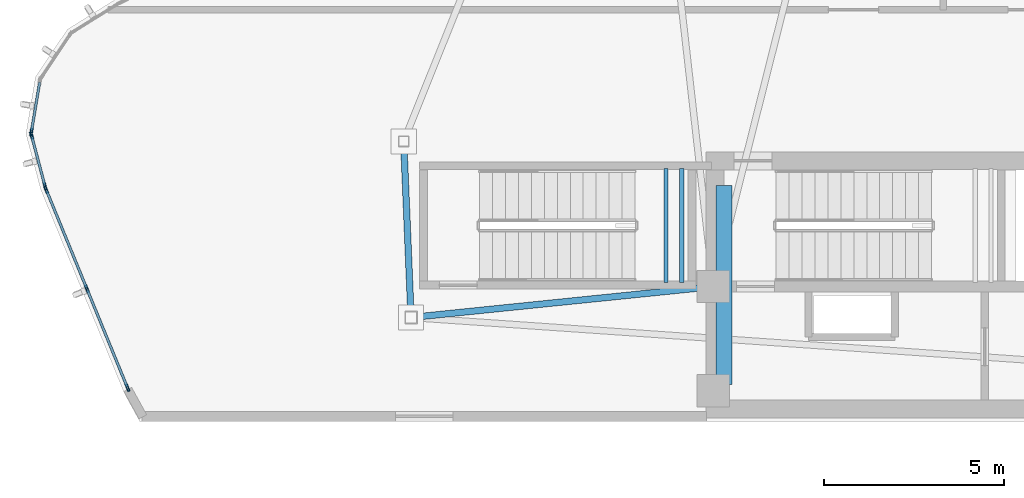
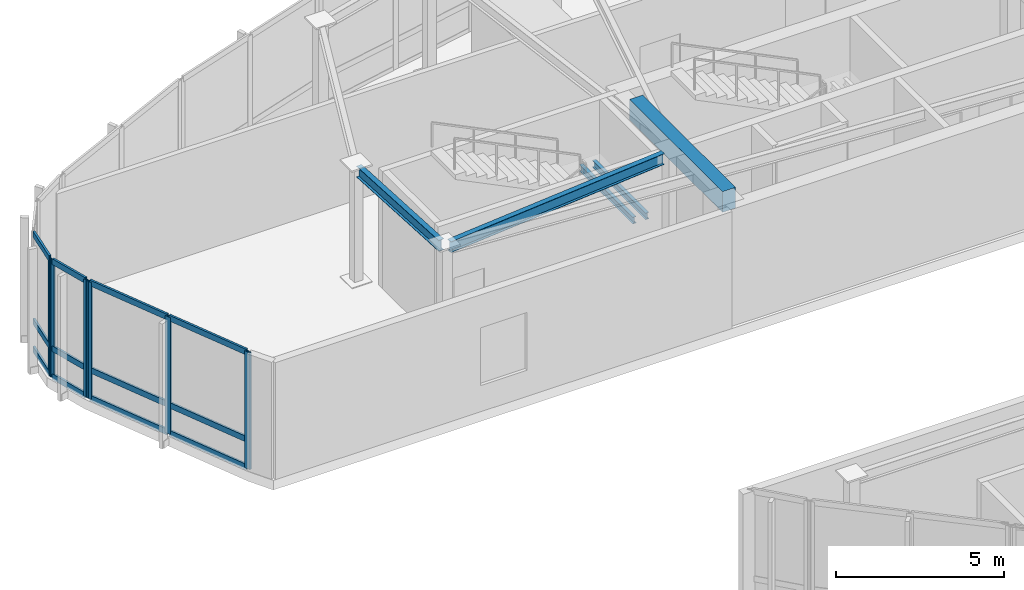
# One storey, part 3 of 16: 18 members, 5 beams, 3 elements without a shape of their own.
"""IFC4 building model written with IfcOpenShell, lengths in metres."""

from ifc_helpers import new_model, si_unit, direction, frame, origin, origin_2d, place, context, subcontext, project, spatial, rectangle, hollow_rectangle, i_section, extrude, source, transform, mapped, material, layer, layer_set, material_profile, profile_set, type_object, type_shapes, element, aggregate, save


model = new_model("IFC4")

# Units and contexts
model_context = context("Model", 3, precision=1e-05, world=origin(), true_north=direction((0.0, 1.0)))
body_context = subcontext(model_context, "Body", "Model", "MODEL_VIEW")
ifc_project = project(units=[si_unit("LENGTHUNIT", "METRE"), si_unit("AREAUNIT", "SQUARE_METRE"), si_unit("VOLUMEUNIT", "CUBIC_METRE"), si_unit("PLANEANGLEUNIT", "RADIAN"), si_unit("MASSUNIT", "GRAM", prefix="KILO")], contexts=[model_context])

# Site, building, storey
site_placement = place(None, origin())
site = spatial("IfcSite", under=ifc_project, at=site_placement, CompositionType="ELEMENT")
building_placement = place(site_placement, origin())
building = spatial("IfcBuilding", under=site, at=building_placement, Name="Tavelor Broadcast Tower", CompositionType="ELEMENT")
storey_placement = place(building_placement, frame((0.0, 0.0, 336.699951171875)))
storey = spatial("IfcBuildingStorey", under=building, at=storey_placement, Name="L80", CompositionType="ELEMENT", Elevation=336.699951171875)

# Beams
ifc_material_1 = material(Name="Concrete C40/50", Category="concrete")
ifc_material_profile_1 = material_profile(ifc_material_1, rectangle(XDim=0.449951171875, YDim=0.75, at=origin_2d()), Name="RC 450x750")
ifc_profile_set_1 = profile_set([ifc_material_profile_1], Name="Concrete C40/50")
beam_type_1 = type_object("IfcBeamType", Name="Basement Core Trim Beam 450x750", PredefinedType="BEAM", material=ifc_profile_set_1)
beam_1_placement = place(storey_placement, frame((43.39990234375, 45.23193359375, 3.875), z_axis=(0.0, 1.0, 0.0), x_axis=(-1.0, 0.0, 0.0)))
element("IfcBeam", 1, at=beam_1_placement, inside=storey, type_object=beam_type_1, Name="L80 Core West-N Tie Girder", PredefinedType="BEAM", context=body_context, shape_type="SweptSolid", body=[
    extrude(rectangle(XDim=0.449951171875, YDim=0.75, at=origin_2d()), origin(), (0.0, 0.0, 1.0), 5.5361328125),
])
ifc_material_2 = material(Name="Steel S355", Category="steel")
ifc_material_profile_2 = material_profile(ifc_material_2, i_section(OverallWidth=0.179931640625, OverallDepth=0.39990234375, WebThickness=0.008544921875, FlangeThickness=0.013427734375, at=origin_2d()), Name="IPE 400")
ifc_profile_set_2 = profile_set([ifc_material_profile_2], Name="Steel S355")
beam_type_2 = type_object("IfcBeamType", Name="Crown Ring Spandrel Beam IPE400", PredefinedType="SPANDREL", material=ifc_profile_set_2)
beam_2_placement = place(storey_placement, frame((34.49169921875, 51.836181640625, 4.050048828125), z_axis=(0.04186598698, -0.999123235209, 0.0), x_axis=(0.999123235209, 0.04186598698, 0.0)))
element("IfcBeam", 2, at=beam_2_placement, inside=storey, type_object=beam_type_2, Name="L80 Crown Peak A Ring Spandrel 2", PredefinedType="SPANDREL", context=body_context, shape_type="SweptSolid", body=[
    extrude(i_section(OverallWidth=0.179931640625, OverallDepth=0.39990234375, WebThickness=0.008544921875, FlangeThickness=0.013427734375, at=origin_2d()), origin(), (0.0, 0.0, 1.0), 4.57177734375),
])
beam_3_placement = place(storey_placement, frame((42.670166015625, 47.906005859375, 4.050048828125), z_axis=(-0.994811533422, -0.101735013494, 0.0), x_axis=(0.101735013494, -0.994811533422, 0.0)))
element("IfcBeam", 3, at=beam_3_placement, inside=storey, type_object=beam_type_2, Name="L80 Crown Peak A Radial Beam 3", PredefinedType="SPANDREL", context=body_context, shape_type="SweptSolid", body=[
    extrude(i_section(OverallWidth=0.179931640625, OverallDepth=0.39990234375, WebThickness=0.008544921875, FlangeThickness=0.013427734375, at=origin_2d()), origin(), (0.0, 0.0, 1.0), 7.842529296875),
])
ifc_material_profile_3 = material_profile(ifc_material_2, i_section(OverallWidth=0.1201171875, OverallDepth=0.239990234375, WebThickness=0.006103515625, FlangeThickness=0.009765625, at=origin_2d()), Name="IPE 240")
ifc_profile_set_3 = profile_set([ifc_material_profile_3], Name="Steel S355")
beam_type_3 = type_object("IfcBeamType", Name="Stairwell Landing Support Trimmer Beam IPE240", PredefinedType="BEAM", material=ifc_profile_set_3)
for number, where, z_axis, x_axis, name in (
    (4, (41.784912109375, 48.06005859375, 1.985107421875), (0.0, 1.0, 0.0), (-1.0, 0.0, 0.0), "L80 Stair Landing Support Beam 475"),
    (5, (42.22509765625, 48.06005859375, 1.985107421875), (0.0, 1.0, 0.0), (-1.0, 0.0, 0.0), "L80 Stair Landing Support Beam 476"),
):
    element("IfcBeam", number, at=place(storey_placement, frame(where, z_axis=z_axis, x_axis=x_axis)), inside=storey, type_object=beam_type_3, Name=name, PredefinedType="BEAM", context=body_context, shape_type="SweptSolid", body=[
        extrude(i_section(OverallWidth=0.1201171875, OverallDepth=0.239990234375, WebThickness=0.006103515625, FlangeThickness=0.009765625, at=origin_2d()), origin(), (0.0, 0.0, 1.0), 3.179931640625),
    ])

# Curtain wall, member
ifc_material_3 = material(Name="Architectural Anodized Aluminium", Category="aluminium")
ifc_layer = layer(ifc_material_3, 0.2099609375)
ifc_layer_set = layer_set([ifc_layer], Name="Architectural Anodized Aluminium")
curtain_wall_type = type_object("IfcCurtainWallType", Name="Split-Crown Beacon Curtain Wall CW06", PredefinedType="NOTDEFINED", material=ifc_layer_set)
curtain_wall_1_placement = place(storey_placement, origin())
curtain_wall_1 = element("IfcCurtainWall", 6, at=curtain_wall_1_placement, inside=storey, type_object=curtain_wall_type, Name="L80 Curtain Wall CW06 Run 917", PredefinedType="NOTDEFINED")
ifc_material_profile_4 = material_profile(ifc_material_3, hollow_rectangle(XDim=0.072021484375, YDim=0.2099609375, WallThickness=0.02197265625, at=origin_2d()), Name="RHS 72x210x22")
ifc_profile_set_4 = profile_set([ifc_material_profile_4], Name="Architectural Anodized Aluminium")
member_type_1 = type_object("IfcMemberType", Name="CW06 Extruded Aluminium Mullion 72x210", PredefinedType="MULLION", material=ifc_profile_set_4)
shared_shape_1 = source(origin(), body_context, "Body", "SweptSolid", [
    extrude(hollow_rectangle(XDim=0.072021484375, YDim=0.2099609375, WallThickness=0.02197265625, at=origin_2d()), origin(), (0.0, 0.0, 1.0), 4.25),
])
type_shapes(member_type_1, [shared_shape_1])
member_1_placement = place(storey_placement, frame((24.126953125, 52.252685546875, 0.0), z_axis=(0.0, 0.0, 1.0), x_axis=(0.98642433065, -0.164216442241, 0.0)))
member_1 = element("IfcMember", 7, at=member_1_placement, type_object=member_type_1, Name="CW06 mullion 2", PredefinedType="MULLION", context=body_context, shape_type="MappedRepresentation", body=[
    mapped(shared_shape_1, transform((0.0, 0.0, 0.0), scale=1.0)),
])

# Curtain wall, members
curtain_wall_2_placement = place(storey_placement, origin())
curtain_wall_2 = element("IfcCurtainWall", 8, at=curtain_wall_2_placement, inside=storey, type_object=curtain_wall_type, Name="L80 Curtain Wall CW06 Run 918", PredefinedType="NOTDEFINED")
member_2_placement = place(storey_placement, frame((24.1318359375, 52.153076171875, 0.0), z_axis=(0.0, 0.0, 1.0), x_axis=(0.966602511017, 0.256280287373, 0.0)))
member_2 = element("IfcMember", 9, at=member_2_placement, type_object=member_type_1, Name="CW06 mullion 1", PredefinedType="MULLION", context=body_context, shape_type="MappedRepresentation", body=[
    mapped(shared_shape_1, transform((0.0, 0.0, 0.0), scale=1.0)),
])
member_3_placement = place(storey_placement, frame((24.505615234375, 50.74267578125, 0.0), z_axis=(0.0, 0.0, 1.0), x_axis=(0.966602511017, 0.256280287373, 0.0)))
member_3 = element("IfcMember", 10, at=member_3_placement, type_object=member_type_1, Name="CW06 mullion 2", PredefinedType="MULLION", context=body_context, shape_type="MappedRepresentation", body=[
    mapped(shared_shape_1, transform((0.0, 0.0, 0.0), scale=1.0)),
])

curtain_wall_3_placement = place(storey_placement, origin())
curtain_wall_3 = element("IfcCurtainWall", 11, at=curtain_wall_3_placement, inside=storey, type_object=curtain_wall_type, Name="L80 Curtain Wall CW06 Run 919", PredefinedType="NOTDEFINED")
member_4_placement = place(storey_placement, frame((24.5380859375, 50.646240234375, 0.0), z_axis=(0.0, 0.0, 1.0), x_axis=(0.925081896692, 0.379767671627, 0.0)))
member_4 = element("IfcMember", 12, at=member_4_placement, type_object=member_type_1, Name="CW06 mullion 1", PredefinedType="MULLION", context=body_context, shape_type="MappedRepresentation", body=[
    mapped(shared_shape_1, transform((0.0, 0.0, 0.0), scale=1.0)),
])
member_5_placement = place(storey_placement, frame((25.670166015625, 47.888671875, 0.0), z_axis=(0.0, 0.0, 1.0), x_axis=(0.925081896692, 0.379767671627, 0.0)))
member_5 = element("IfcMember", 13, at=member_5_placement, type_object=member_type_1, Name="CW06 mullion 2", PredefinedType="MULLION", context=body_context, shape_type="MappedRepresentation", body=[
    mapped(shared_shape_1, transform((0.0, 0.0, 0.0), scale=1.0)),
])
member_6_placement = place(storey_placement, frame((26.80224609375, 45.130859375, 0.0), z_axis=(0.0, 0.0, 1.0), x_axis=(0.925081896692, 0.379767671627, 0.0)))
member_6 = element("IfcMember", 14, at=member_6_placement, type_object=member_type_1, Name="CW06 mullion 3", PredefinedType="MULLION", context=body_context, shape_type="MappedRepresentation", body=[
    mapped(shared_shape_1, transform((0.0, 0.0, 0.0), scale=1.0)),
])

# Member
ifc_material_profile_5 = material_profile(ifc_material_3, hollow_rectangle(XDim=0.072021484375, YDim=0.2099609375, WallThickness=0.02197265625, at=origin_2d()), Name="RHS 72x210x22")
ifc_profile_set_5 = profile_set([ifc_material_profile_5], Name="Architectural Anodized Aluminium")
member_type_2 = type_object("IfcMemberType", Name="CW06 Extruded Aluminium Transom 72x210", PredefinedType="USERDEFINED", material=ifc_profile_set_5)
shared_shape_2 = source(origin(), body_context, "Body", "SweptSolid", [
    extrude(hollow_rectangle(XDim=0.072021484375, YDim=0.2099609375, WallThickness=0.02197265625, at=origin_2d()), origin(), (0.0, 0.0, 1.0), 1.38720703125),
])
member_7_placement = place(storey_placement, frame((24.140869140625, 52.118408203125, 0.0361328125), z_axis=(0.256260198601, -0.966607837033, 0.0), x_axis=(0.966607837033, 0.256260198601, 0.0)))
member_7 = element("IfcMember", 15, at=member_7_placement, type_object=member_type_2, Name="CW06 transom 1.1", ObjectType="TRANSOM", PredefinedType="USERDEFINED", context=body_context, shape_type="MappedRepresentation", body=[
    mapped(shared_shape_2, transform((0.0, 0.0, 0.0), scale=1.0)),
])

member_8_placement = place(storey_placement, frame((24.140869140625, 52.118408203125, 1.050048828125), z_axis=(0.256260198601, -0.966607837033, 0.0), x_axis=(0.966607837033, 0.256260198601, 0.0)))
member_8 = element("IfcMember", 16, at=member_8_placement, type_object=member_type_2, Name="CW06 transom 1.2", ObjectType="TRANSOM", PredefinedType="USERDEFINED", context=body_context, shape_type="MappedRepresentation", body=[
    mapped(shared_shape_2, transform((0.0, 0.0, 0.0), scale=1.0)),
])

member_9_placement = place(storey_placement, frame((24.140869140625, 52.118408203125, 4.214111328125), z_axis=(0.256260198601, -0.966607837033, 0.0), x_axis=(0.966607837033, 0.256260198601, 0.0)))
member_9 = element("IfcMember", 17, at=member_9_placement, type_object=member_type_2, Name="CW06 transom 1.3", ObjectType="TRANSOM", PredefinedType="USERDEFINED", context=body_context, shape_type="MappedRepresentation", body=[
    mapped(shared_shape_2, transform((0.0, 0.0, 0.0), scale=1.0)),
])

aggregate(curtain_wall_2, [member_2, member_3, member_7, member_8, member_9])

shared_shape_3 = source(origin(), body_context, "Body", "SweptSolid", [
    extrude(hollow_rectangle(XDim=0.072021484375, YDim=0.2099609375, WallThickness=0.02197265625, at=origin_2d()), origin(), (0.0, 0.0, 1.0), 1.3662109375),
])
member_10_placement = place(storey_placement, frame((24.357177734375, 53.635986328125, 0.0361328125), z_axis=(-0.164225114677, -0.986422886854, 0.0), x_axis=(0.986422886854, -0.164225114677, 0.0)))
member_10 = element("IfcMember", 18, at=member_10_placement, type_object=member_type_2, Name="CW06 transom 1.1", ObjectType="TRANSOM", PredefinedType="USERDEFINED", context=body_context, shape_type="MappedRepresentation", body=[
    mapped(shared_shape_3, transform((0.0, 0.0, 0.0), scale=1.0)),
])

member_11_placement = place(storey_placement, frame((24.357177734375, 53.635986328125, 1.050048828125), z_axis=(-0.164225114677, -0.986422886854, 0.0), x_axis=(0.986422886854, -0.164225114677, 0.0)))
member_11 = element("IfcMember", 19, at=member_11_placement, type_object=member_type_2, Name="CW06 transom 1.2", ObjectType="TRANSOM", PredefinedType="USERDEFINED", context=body_context, shape_type="MappedRepresentation", body=[
    mapped(shared_shape_3, transform((0.0, 0.0, 0.0), scale=1.0)),
])

member_12_placement = place(storey_placement, frame((24.357177734375, 53.635986328125, 4.214111328125), z_axis=(-0.164225114677, -0.986422886854, 0.0), x_axis=(0.986422886854, -0.164225114677, 0.0)))
member_12 = element("IfcMember", 20, at=member_12_placement, type_object=member_type_2, Name="CW06 transom 1.3", ObjectType="TRANSOM", PredefinedType="USERDEFINED", context=body_context, shape_type="MappedRepresentation", body=[
    mapped(shared_shape_3, transform((0.0, 0.0, 0.0), scale=1.0)),
])

aggregate(curtain_wall_1, [member_1, member_10, member_11, member_12])

shared_shape_4 = source(origin(), body_context, "Body", "SweptSolid", [
    extrude(hollow_rectangle(XDim=0.072021484375, YDim=0.2099609375, WallThickness=0.02197265625, at=origin_2d()), origin(), (0.0, 0.0, 1.0), 2.908935546875),
])
type_shapes(member_type_2, [shared_shape_2, shared_shape_3, shared_shape_4])
member_13_placement = place(storey_placement, frame((24.5517578125, 50.61279296875, 0.0361328125), z_axis=(0.379782913166, -0.925075639538, 0.0), x_axis=(0.925075639538, 0.379782913166, 0.0)))
member_13 = element("IfcMember", 21, at=member_13_placement, type_object=member_type_2, Name="CW06 transom 1.1", ObjectType="TRANSOM", PredefinedType="USERDEFINED", context=body_context, shape_type="MappedRepresentation", body=[
    mapped(shared_shape_4, transform((0.0, 0.0, 0.0), scale=1.0)),
])

member_14_placement = place(storey_placement, frame((24.5517578125, 50.61279296875, 1.050048828125), z_axis=(0.379782913166, -0.925075639538, 0.0), x_axis=(0.925075639538, 0.379782913166, 0.0)))
member_14 = element("IfcMember", 22, at=member_14_placement, type_object=member_type_2, Name="CW06 transom 1.2", ObjectType="TRANSOM", PredefinedType="USERDEFINED", context=body_context, shape_type="MappedRepresentation", body=[
    mapped(shared_shape_4, transform((0.0, 0.0, 0.0), scale=1.0)),
])

member_15_placement = place(storey_placement, frame((24.5517578125, 50.61279296875, 4.214111328125), z_axis=(0.379782913166, -0.925075639538, 0.0), x_axis=(0.925075639538, 0.379782913166, 0.0)))
member_15 = element("IfcMember", 23, at=member_15_placement, type_object=member_type_2, Name="CW06 transom 1.3", ObjectType="TRANSOM", PredefinedType="USERDEFINED", context=body_context, shape_type="MappedRepresentation", body=[
    mapped(shared_shape_4, transform((0.0, 0.0, 0.0), scale=1.0)),
])

member_16_placement = place(storey_placement, frame((25.683837890625, 47.855224609375, 0.0361328125), z_axis=(0.379782913166, -0.925075639538, 0.0), x_axis=(0.925075639538, 0.379782913166, 0.0)))
member_16 = element("IfcMember", 24, at=member_16_placement, type_object=member_type_2, Name="CW06 transom 2.1", ObjectType="TRANSOM", PredefinedType="USERDEFINED", context=body_context, shape_type="MappedRepresentation", body=[
    mapped(shared_shape_4, transform((0.0, 0.0, 0.0), scale=1.0)),
])

member_17_placement = place(storey_placement, frame((25.683837890625, 47.855224609375, 1.050048828125), z_axis=(0.379782913166, -0.925075639538, 0.0), x_axis=(0.925075639538, 0.379782913166, 0.0)))
member_17 = element("IfcMember", 25, at=member_17_placement, type_object=member_type_2, Name="CW06 transom 2.2", ObjectType="TRANSOM", PredefinedType="USERDEFINED", context=body_context, shape_type="MappedRepresentation", body=[
    mapped(shared_shape_4, transform((0.0, 0.0, 0.0), scale=1.0)),
])

member_18_placement = place(storey_placement, frame((25.683837890625, 47.855224609375, 4.214111328125), z_axis=(0.379782913166, -0.925075639538, 0.0), x_axis=(0.925075639538, 0.379782913166, 0.0)))
member_18 = element("IfcMember", 26, at=member_18_placement, type_object=member_type_2, Name="CW06 transom 2.3", ObjectType="TRANSOM", PredefinedType="USERDEFINED", context=body_context, shape_type="MappedRepresentation", body=[
    mapped(shared_shape_4, transform((0.0, 0.0, 0.0), scale=1.0)),
])

aggregate(curtain_wall_3, [member_4, member_5, member_6, member_13, member_14, member_15, member_16, member_17, member_18])

save(model, "model.ifc")
